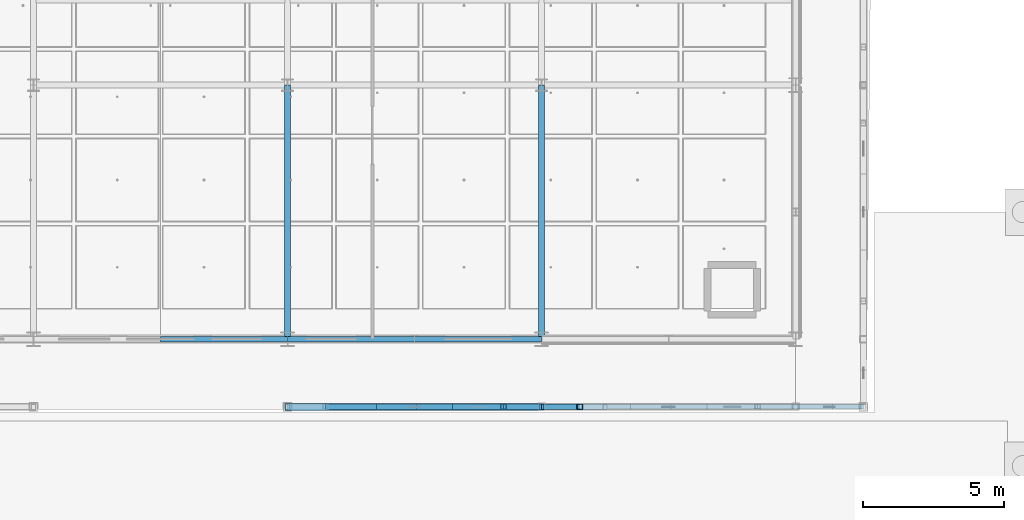
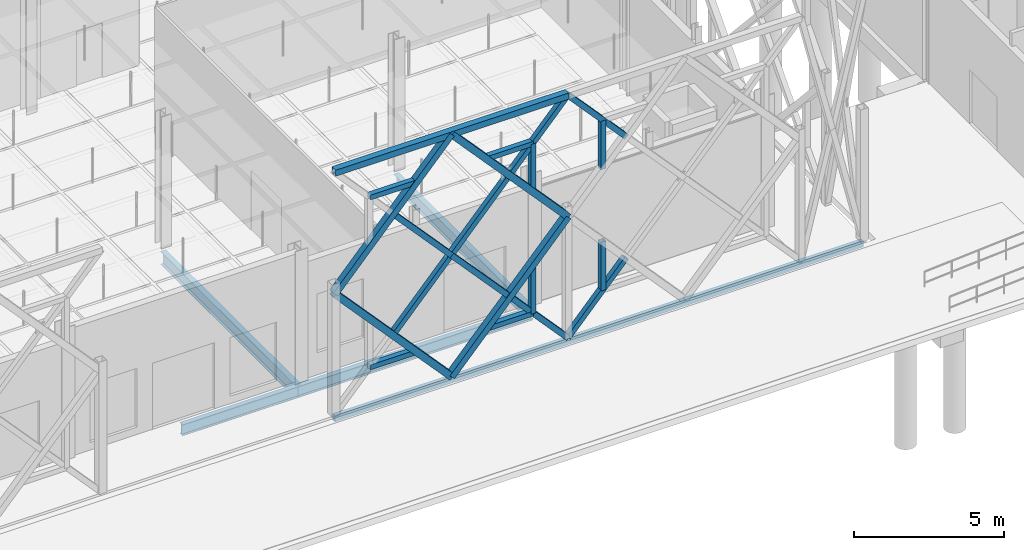
# One storey, part 36 of 180: 20 members, 6 beams.
"""IFC4 building model written with IfcOpenShell, lengths in metres."""

from ifc_helpers import new_model, si_unit, direction, frame, origin, origin_2d, place, context, subcontext, project, spatial, hollow_rectangle, i_section, extrude, material, material_profile, profile_set, type_object, element, save


model = new_model("IFC4")

# Units and contexts
model_context = context("Model", 3, precision=1e-05, world=origin(), true_north=direction((0.0, 1.0)))
body_context = subcontext(model_context, "Body", "Model", "MODEL_VIEW")
ifc_project = project(units=[si_unit("LENGTHUNIT", "METRE"), si_unit("AREAUNIT", "SQUARE_METRE"), si_unit("VOLUMEUNIT", "CUBIC_METRE"), si_unit("PLANEANGLEUNIT", "RADIAN"), si_unit("MASSUNIT", "GRAM", prefix="KILO"), si_unit("THERMODYNAMICTEMPERATUREUNIT", "KELVIN"), si_unit("POWERUNIT", "WATT")], contexts=[model_context])

# Site, building, storey
site_placement = place(None, origin())
site = spatial("IfcSite", under=ifc_project, at=site_placement, CompositionType="ELEMENT")
building_placement = place(site_placement, origin())
building = spatial("IfcBuilding", under=site, at=building_placement, Name="Tallowbark Science Centre", CompositionType="ELEMENT")
storey_placement = place(building_placement, origin())
storey = spatial("IfcBuildingStorey", under=building, at=storey_placement, Name="L00", CompositionType="ELEMENT", Elevation=0.0)

# Beams
ifc_material_1 = material(Name="Structural Steel Grade 300PLUS (300 MPa)", Category="steel")
ifc_material_profile_1 = material_profile(ifc_material_1, i_section(OverallWidth=0.208740234375, OverallDepth=0.5283203125, WebThickness=0.009521484375, FlangeThickness=0.01318359375, FilletRadius=0.013916015625, at=origin_2d()), Name="530UB82.0")
ifc_profile_set_1 = profile_set([ifc_material_profile_1], Name="Structural Steel Grade 300PLUS (300 MPa)")
beam_type_1 = type_object("IfcBeamType", Name="BM-UB530B", PredefinedType="BEAM", material=ifc_profile_set_1)
for number, where, z_axis, x_axis, name in (
    (1, (85.5, 4.5, -0.504150390625), (0.0, 1.0, 0.0), (-1.0, 0.0, 0.0), "Primary Girder GRDY-L00-855-45-135"),
    (2, (94.5, 4.5, -0.504150390625), (0.0, 1.0, 0.0), (-1.0, 0.0, 0.0), "Primary Girder GRDY-L00-945-45-135"),
):
    element("IfcBeam", number, at=place(storey_placement, frame(where, z_axis=z_axis, x_axis=x_axis)), inside=storey, type_object=beam_type_1, Name=name, PredefinedType="BEAM", context=body_context, shape_type="SweptSolid", body=[
        extrude(i_section(OverallWidth=0.208740234375, OverallDepth=0.5283203125, WebThickness=0.009521484375, FlangeThickness=0.01318359375, FilletRadius=0.013916015625, at=origin_2d()), origin(), (0.0, 0.0, 1.0), 9.0),
    ])

# Members
ifc_material_2 = material(Name="White Architectural Painted Steel Grade C350L0 (350 MPa)", Category="steel")
ifc_material_profile_2 = material_profile(ifc_material_2, hollow_rectangle(XDim=0.25, YDim=0.25, WallThickness=0.009033203125, at=origin_2d()), Name="250x250x9.0SHS")
ifc_profile_set_2 = profile_set([ifc_material_profile_2], Name="White Architectural Painted Steel Grade C350L0 (350 MPa)")
member_type_1 = type_object("IfcMemberType", Name="SCR-CHD200", PredefinedType="CHORD", material=ifc_profile_set_2)
member_1_placement = place(storey_placement, frame((85.5, 2.10009765625, 9.89990234375), z_axis=(1.0, 0.0, 0.0), x_axis=(0.0, 1.0, 0.0)))
element("IfcMember", 3, at=member_1_placement, inside=storey, type_object=member_type_1, Name="Star Screen Frame Chord S-6", PredefinedType="CHORD", context=body_context, shape_type="SweptSolid", body=[
    extrude(hollow_rectangle(XDim=0.25, YDim=0.25, WallThickness=0.009033203125, at=origin_2d()), origin(), (0.0, 0.0, 1.0), 9.0),
])
for number, where, z_axis, x_axis, name in (
    (4, (90.0, 2.10009765625, 0.0), (0.672676426978, 0.0, 0.739936770669), (0.0, 1.0, 0.0), "Star Screen Octagram Diamond Chord S-6-1"),
    (5, (94.5, 2.10009765625, 4.949951171875), (-0.672676426978, 0.0, 0.739936770669), (0.0, -1.0, 0.0), "Star Screen Octagram Diamond Chord S-6-2"),
    (6, (90.0, 2.10009765625, 9.89990234375), (-0.672676426978, 0.0, -0.739936770669), (0.0, -1.0, 0.0), "Star Screen Octagram Diamond Chord S-6-3"),
    (7, (85.5, 2.10009765625, 4.949951171875), (0.672676426978, 0.0, -0.739936770669), (0.0, 1.0, 0.0), "Star Screen Octagram Diamond Chord S-6-4"),
):
    element("IfcMember", number, at=place(storey_placement, frame(where, z_axis=z_axis, x_axis=x_axis)), inside=storey, type_object=member_type_1, Name=name, PredefinedType="CHORD", context=body_context, shape_type="SweptSolid", body=[
        extrude(hollow_rectangle(XDim=0.25, YDim=0.25, WallThickness=0.009033203125, at=origin_2d()), origin(), (0.0, 0.0, 1.0), 6.689697265625),
    ])
ifc_material_profile_3 = material_profile(ifc_material_2, hollow_rectangle(XDim=0.199951171875, YDim=0.199951171875, WallThickness=0.009033203125, at=origin_2d()), Name="200x200x9.0SHS")
ifc_profile_set_3 = profile_set([ifc_material_profile_3], Name="White Architectural Painted Steel Grade C350L0 (350 MPa)")
member_type_2 = type_object("IfcMemberType", Name="SCR-STAR139", PredefinedType="BRACE", material=ifc_profile_set_3)
member_2_placement = place(storey_placement, frame((87.75, 2.10009765625, 2.47509765625), z_axis=(0.672676426978, 0.0, 0.739936770669), x_axis=(0.0, 1.0, 0.0)))
element("IfcMember", 8, at=member_2_placement, inside=storey, type_object=member_type_2, Name="Star Screen Continuous X-Diagonal D1M S-6", PredefinedType="BRACE", context=body_context, shape_type="SweptSolid", body=[
    extrude(hollow_rectangle(XDim=0.199951171875, YDim=0.199951171875, WallThickness=0.009033203125, at=origin_2d()), origin(), (0.0, 0.0, 1.0), 6.689697265625),
])
member_3_placement = place(storey_placement, frame((92.25, 2.10009765625, 7.425048828125), z_axis=(0.672694592231, 0.0, 0.739920256233), x_axis=(0.0, 1.0, 0.0)))
element("IfcMember", 9, at=member_3_placement, inside=storey, type_object=member_type_2, Name="Star Screen Continuous X-Diagonal D1B S-6", PredefinedType="BRACE", context=body_context, shape_type="SweptSolid", body=[
    extrude(hollow_rectangle(XDim=0.199951171875, YDim=0.199951171875, WallThickness=0.009033203125, at=origin_2d()), origin(), (0.0, 0.0, 1.0), 3.3447265625),
])
member_4_placement = place(storey_placement, frame((87.75, 2.10009765625, 7.425048828125), z_axis=(0.672658262301, 0.0, -0.739953283768), x_axis=(0.0, 1.0, 0.0)))
element("IfcMember", 10, at=member_4_placement, inside=storey, type_object=member_type_2, Name="Star Screen Split X-Diagonal D2B S-6", PredefinedType="BRACE", context=body_context, shape_type="SweptSolid", body=[
    extrude(hollow_rectangle(XDim=0.199951171875, YDim=0.199951171875, WallThickness=0.009033203125, at=origin_2d()), origin(), (0.0, 0.0, 1.0), 3.344970703125),
])
member_5_placement = place(storey_placement, frame((90.0, 2.10009765625, 4.949951171875), z_axis=(0.672694592231, 0.0, -0.739920256233), x_axis=(0.0, 1.0, 0.0)))
element("IfcMember", 11, at=member_5_placement, inside=storey, type_object=member_type_2, Name="Star Screen Split X-Diagonal D2C S-6", PredefinedType="BRACE", context=body_context, shape_type="SweptSolid", body=[
    extrude(hollow_rectangle(XDim=0.199951171875, YDim=0.199951171875, WallThickness=0.009033203125, at=origin_2d()), origin(), (0.0, 0.0, 1.0), 3.3447265625),
])
for number, where, z_axis, x_axis, name in (
    (12, (92.25, 2.10009765625, 2.47509765625), (0.672658262301, 0.0, -0.739953283768), (0.0, 1.0, 0.0), "Star Screen Split X-Diagonal D2D S-6"),
    (13, (94.5, 2.10009765625, 0.0), (0.672658262301, 0.0, 0.739953283768), (0.0, 1.0, 0.0), "Star Screen Continuous X-Diagonal D1A S-8"),
):
    element("IfcMember", number, at=place(storey_placement, frame(where, z_axis=z_axis, x_axis=x_axis)), inside=storey, type_object=member_type_2, Name=name, PredefinedType="BRACE", context=body_context, shape_type="SweptSolid", body=[
        extrude(hollow_rectangle(XDim=0.199951171875, YDim=0.199951171875, WallThickness=0.009033203125, at=origin_2d()), origin(), (0.0, 0.0, 1.0), 3.344970703125),
    ])
member_6_placement = place(storey_placement, frame((94.5, 2.10009765625, 9.89990234375), z_axis=(0.672694592231, 0.0, -0.739920256233), x_axis=(0.0, 1.0, 0.0)))
element("IfcMember", 14, at=member_6_placement, inside=storey, type_object=member_type_2, Name="Star Screen Split X-Diagonal D2A S-8", PredefinedType="BRACE", context=body_context, shape_type="SweptSolid", body=[
    extrude(hollow_rectangle(XDim=0.199951171875, YDim=0.199951171875, WallThickness=0.009033203125, at=origin_2d()), origin(), (0.0, 0.0, 1.0), 3.3447265625),
])
ifc_material_profile_4 = material_profile(ifc_material_2, hollow_rectangle(XDim=0.199951171875, YDim=0.199951171875, WallThickness=0.009033203125, at=origin_2d()), Name="200x200x9.0SHS")
ifc_profile_set_4 = profile_set([ifc_material_profile_4], Name="White Architectural Painted Steel Grade C350L0 (350 MPa)")
member_type_3 = type_object("IfcMemberType", Name="SCR-SUB150", PredefinedType="BRACE", material=ifc_profile_set_4)
for number, where, z_axis, x_axis, name in (
    (15, (86.85009765625, 2.10009765625, 1.485107421875), (1.0, 0.0, 0.0), (0.0, 1.0, 0.0), "Star Screen Octagram Point Ray S-6-1"),
    (16, (93.14990234375, 2.10009765625, 1.485107421875), (-1.0, 0.0, 0.0), (0.0, -1.0, 0.0), "Star Screen Octagram Point Ray S-6-3"),
):
    element("IfcMember", number, at=place(storey_placement, frame(where, z_axis=z_axis, x_axis=x_axis)), inside=storey, type_object=member_type_3, Name=name, PredefinedType="BRACE", context=body_context, shape_type="SweptSolid", body=[
        extrude(hollow_rectangle(XDim=0.199951171875, YDim=0.199951171875, WallThickness=0.009033203125, at=origin_2d()), origin(), (0.0, 0.0, 1.0), 1.7998046875),
    ])
member_7_placement = place(storey_placement, frame((93.14990234375, 2.10009765625, 1.485107421875), z_axis=(0.0, 0.0, 1.0), x_axis=(1.0, 0.0, 0.0)))
element("IfcMember", 17, at=member_7_placement, inside=storey, type_object=member_type_3, Name="Star Screen Octagram Point Ray S-6-4", PredefinedType="BRACE", context=body_context, shape_type="SweptSolid", body=[
    extrude(hollow_rectangle(XDim=0.199951171875, YDim=0.199951171875, WallThickness=0.009033203125, at=origin_2d()), origin(), (0.0, 0.0, 1.0), 1.97998046875),
])
member_8_placement = place(storey_placement, frame((93.14990234375, 2.10009765625, 8.4150390625), z_axis=(-1.0, 0.0, 0.0), x_axis=(0.0, -1.0, 0.0)))
element("IfcMember", 18, at=member_8_placement, inside=storey, type_object=member_type_3, Name="Star Screen Octagram Point Ray S-6-5", PredefinedType="BRACE", context=body_context, shape_type="SweptSolid", body=[
    extrude(hollow_rectangle(XDim=0.199951171875, YDim=0.199951171875, WallThickness=0.009033203125, at=origin_2d()), origin(), (0.0, 0.0, 1.0), 1.7998046875),
])
member_9_placement = place(storey_placement, frame((93.14990234375, 2.10009765625, 8.4150390625), z_axis=(0.0, 0.0, -1.0), x_axis=(1.0, 0.0, 0.0)))
element("IfcMember", 19, at=member_9_placement, inside=storey, type_object=member_type_3, Name="Star Screen Octagram Point Ray S-6-6", PredefinedType="BRACE", context=body_context, shape_type="SweptSolid", body=[
    extrude(hollow_rectangle(XDim=0.199951171875, YDim=0.199951171875, WallThickness=0.009033203125, at=origin_2d()), origin(), (0.0, 0.0, 1.0), 1.97998046875),
])
member_10_placement = place(storey_placement, frame((86.85009765625, 2.10009765625, 8.4150390625), z_axis=(1.0, 0.0, 0.0), x_axis=(0.0, 1.0, 0.0)))
element("IfcMember", 20, at=member_10_placement, inside=storey, type_object=member_type_3, Name="Star Screen Octagram Point Ray S-6-7", PredefinedType="BRACE", context=body_context, shape_type="SweptSolid", body=[
    extrude(hollow_rectangle(XDim=0.199951171875, YDim=0.199951171875, WallThickness=0.009033203125, at=origin_2d()), origin(), (0.0, 0.0, 1.0), 1.7998046875),
])
for number, where, z_axis, x_axis, name in (
    (21, (95.85009765625, 2.10009765625, 1.485107421875), (0.0, 0.0, 1.0), (1.0, 0.0, 0.0), "Star Screen Octagram Point Ray S-8-2"),
    (22, (95.85009765625, 2.10009765625, 8.4150390625), (0.0, 0.0, -1.0), (1.0, 0.0, 0.0), "Star Screen Octagram Point Ray S-8-8"),
):
    element("IfcMember", number, at=place(storey_placement, frame(where, z_axis=z_axis, x_axis=x_axis)), inside=storey, type_object=member_type_3, Name=name, PredefinedType="BRACE", context=body_context, shape_type="SweptSolid", body=[
        extrude(hollow_rectangle(XDim=0.199951171875, YDim=0.199951171875, WallThickness=0.009033203125, at=origin_2d()), origin(), (0.0, 0.0, 1.0), 1.97998046875),
    ])

# Beams
ifc_material_profile_5 = material_profile(ifc_material_2, hollow_rectangle(XDim=0.14990234375, YDim=0.25, WallThickness=0.009033203125, at=origin_2d()), Name="250x150x9.0RHS")
ifc_profile_set_5 = profile_set([ifc_material_profile_5], Name="White Architectural Painted Steel Grade C350L0 (350 MPa)")
beam_type_2 = type_object("IfcBeamType", Name="SPN-RHS250", PredefinedType="SPANDREL", material=ifc_profile_set_5)
beam_placement = place(storey_placement, frame((85.5, 2.10009765625, -0.14990234375), z_axis=(1.0, 0.0, 0.0), x_axis=(0.0, 1.0, 0.0)))
element("IfcBeam", 23, at=beam_placement, inside=storey, type_object=beam_type_2, Name="Star Screen Perimeter Ring Beam SE-L00", PredefinedType="SPANDREL", context=body_context, shape_type="SweptSolid", body=[
    extrude(hollow_rectangle(XDim=0.14990234375, YDim=0.25, WallThickness=0.009033203125, at=origin_2d()), origin(), (0.0, 0.0, 1.0), 20.39990234375),
])
ifc_material_profile_6 = material_profile(ifc_material_1, i_section(OverallWidth=0.18994140625, OverallDepth=0.453857421875, WebThickness=0.008544921875, FlangeThickness=0.0126953125, FilletRadius=0.011474609375, at=origin_2d()), Name="460UB67.1")
ifc_profile_set_6 = profile_set([ifc_material_profile_6], Name="Structural Steel Grade 300PLUS (300 MPa)")
beam_type_3 = type_object("IfcBeamType", Name="SPN-UB460", PredefinedType="SPANDREL", material=ifc_profile_set_6)
for number, where, z_axis, x_axis, name in (
    (24, (81.0, 4.5, -0.491943359375), (1.0, 0.0, 0.0), (0.0, 1.0, 0.0), "Primary Girder GRDX-L00-810-855-45"),
    (25, (85.5, 4.5, -0.491943359375), (1.0, 0.0, 0.0), (0.0, 1.0, 0.0), "Primary Girder GRDX-L00-855-900-45"),
    (26, (90.0, 4.5, -0.491943359375), (1.0, 0.0, 0.0), (0.0, 1.0, 0.0), "Primary Girder GRDX-L00-900-945-45"),
):
    element("IfcBeam", number, at=place(storey_placement, frame(where, z_axis=z_axis, x_axis=x_axis)), inside=storey, type_object=beam_type_3, Name=name, PredefinedType="SPANDREL", context=body_context, shape_type="SweptSolid", body=[
        extrude(i_section(OverallWidth=0.18994140625, OverallDepth=0.453857421875, WebThickness=0.008544921875, FlangeThickness=0.0126953125, FilletRadius=0.011474609375, at=origin_2d()), origin(), (0.0, 0.0, 1.0), 4.5),
    ])

save(model, "model.ifc")
